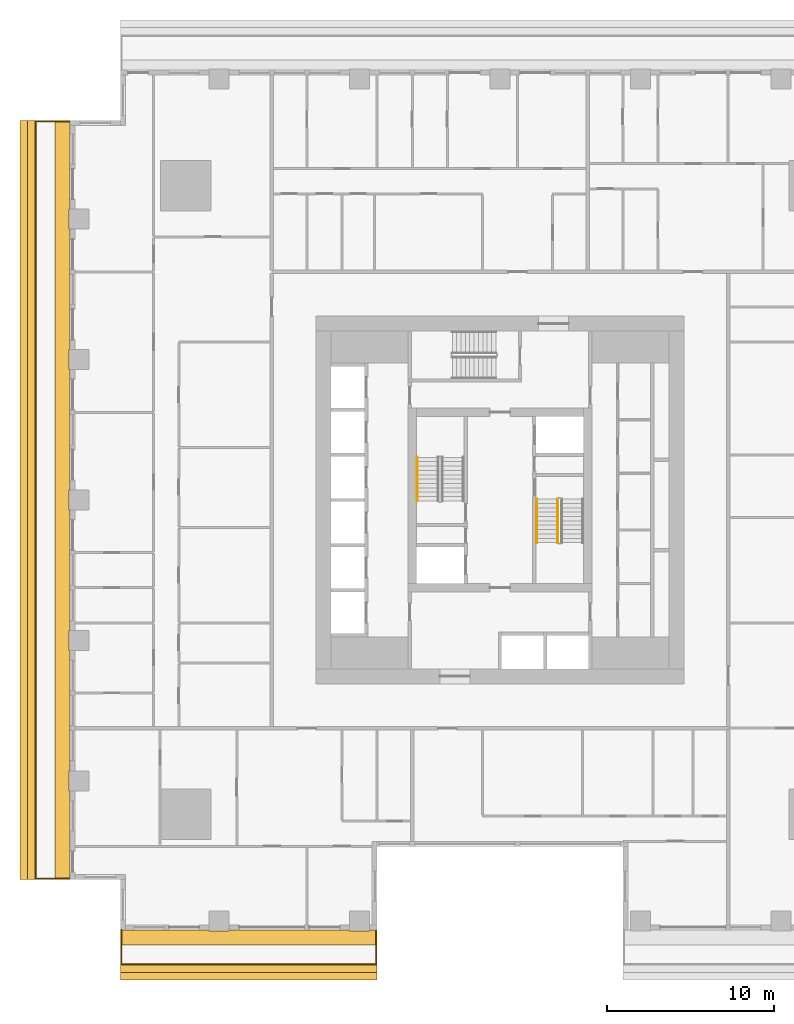
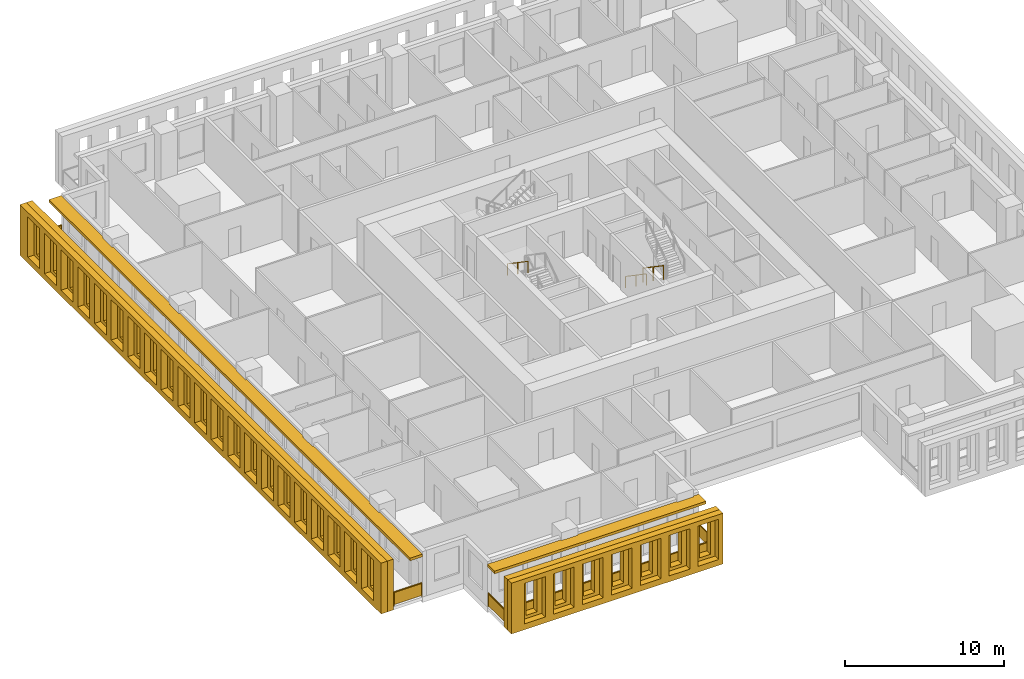
# One storey, part 11 of 15: 6 shading devices, 5 railings.
"""IFC4 building model written with IfcOpenShell, lengths in metres."""

from ifc_helpers import new_model, si_unit, direction, frame, origin, origin_2d, place, context, subcontext, project, spatial, polyline, rectangle, outline, extrude, material, layer, layer_set, type_object, element, save


model = new_model("IFC4")

# Units and contexts
model_context = context("Model", 3, precision=1e-05, world=origin(), true_north=direction((0.0, 1.0)))
body_context = subcontext(model_context, "Body", "Model", "MODEL_VIEW")
ifc_project = project(units=[si_unit("LENGTHUNIT", "METRE"), si_unit("AREAUNIT", "SQUARE_METRE"), si_unit("VOLUMEUNIT", "CUBIC_METRE"), si_unit("PLANEANGLEUNIT", "RADIAN"), si_unit("MASSUNIT", "GRAM", prefix="KILO")], contexts=[model_context])

# Site, building, storey
site_placement = place(None, origin())
site = spatial("IfcSite", under=ifc_project, at=site_placement, CompositionType="ELEMENT")
building_placement = place(site_placement, origin())
building = spatial("IfcBuilding", under=site, at=building_placement, Name="Khepri Terraces", CompositionType="ELEMENT")
storey_placement = place(building_placement, frame((0.0, 0.0, 46.5)))
storey = spatial("IfcBuildingStorey", under=building, at=storey_placement, Name="L10", CompositionType="ELEMENT", Elevation=46.5)

# Railings
ifc_material_1 = material(Name="Stainless steel grade 316", Category="steel")
railing_type_1 = type_object("IfcRailingType", Name="GRD-BAL-1100", PredefinedType="GUARDRAIL", material=ifc_material_1)
railing_1_placement = place(storey_placement, frame((-22.669921875, -25.719970703125, 0.0)))
element("IfcRailing", 1, at=railing_1_placement, inside=storey, type_object=railing_type_1, Name="Balcony guard L10 S", PredefinedType="GUARDRAIL", context=body_context, shape_type="SweptSolid", body=[
    extrude(rectangle(XDim=0.050048828125, YDim=0.06005859375, at=origin_2d()), frame((0.0, 0.0, 1.070068359375), z_axis=(0.0, -1.0, 0.0), x_axis=(1.0, 0.0, 0.0)), (0.0, 0.0, 1.0), 2.050048828125),
    extrude(rectangle(XDim=2.0, YDim=0.011962890625, at=origin_2d()), frame((0.0, -1.02490234375, 0.10009765625), z_axis=(0.0, 0.0, 1.0), x_axis=(0.0, -1.0, 0.0)), (0.0, 0.0, 1.0), 0.93994140625),
    extrude(rectangle(XDim=0.050048828125, YDim=0.06005859375, at=origin_2d()), frame((0.0, -2.050048828125, 1.070068359375), z_axis=(1.0, 0.0, 0.0), x_axis=(0.0, 1.0, 0.0)), (0.0, 0.0, 1.0), 15.27001953125),
    extrude(rectangle(XDim=2.13134765625, YDim=0.011962890625, at=origin_2d()), frame((1.0908203125, -2.050048828125, 0.10009765625), z_axis=(0.0, 0.0, 1.0), x_axis=(1.0, 0.0, 0.0)), (0.0, 0.0, 1.0), 0.93994140625),
    extrude(rectangle(XDim=2.13134765625, YDim=0.011962890625, at=origin_2d()), frame((3.272216796875, -2.050048828125, 0.10009765625), z_axis=(0.0, 0.0, 1.0), x_axis=(1.0, 0.0, 0.0)), (0.0, 0.0, 1.0), 0.93994140625),
    extrude(rectangle(XDim=2.13134765625, YDim=0.011962890625, at=origin_2d()), frame((5.45361328125, -2.050048828125, 0.10009765625), z_axis=(0.0, 0.0, 1.0), x_axis=(1.0, 0.0, 0.0)), (0.0, 0.0, 1.0), 0.93994140625),
    extrude(rectangle(XDim=2.13134765625, YDim=0.011962890625, at=origin_2d()), frame((7.635009765625, -2.050048828125, 0.10009765625), z_axis=(0.0, 0.0, 1.0), x_axis=(1.0, 0.0, 0.0)), (0.0, 0.0, 1.0), 0.93994140625),
    extrude(rectangle(XDim=2.13134765625, YDim=0.011962890625, at=origin_2d()), frame((9.81640625, -2.050048828125, 0.10009765625), z_axis=(0.0, 0.0, 1.0), x_axis=(1.0, 0.0, 0.0)), (0.0, 0.0, 1.0), 0.93994140625),
    extrude(rectangle(XDim=2.13134765625, YDim=0.011962890625, at=origin_2d()), frame((11.997802734375, -2.050048828125, 0.10009765625), z_axis=(0.0, 0.0, 1.0), x_axis=(1.0, 0.0, 0.0)), (0.0, 0.0, 1.0), 0.93994140625),
    extrude(rectangle(XDim=2.13134765625, YDim=0.011962890625, at=origin_2d()), frame((14.17919921875, -2.050048828125, 0.10009765625), z_axis=(0.0, 0.0, 1.0), x_axis=(1.0, 0.0, 0.0)), (0.0, 0.0, 1.0), 0.93994140625),
    extrude(rectangle(XDim=0.050048828125, YDim=0.06005859375, at=origin_2d()), frame((15.27001953125, -2.050048828125, 1.070068359375), z_axis=(0.0, 1.0, 0.0), x_axis=(-1.0, 0.0, 0.0)), (0.0, 0.0, 1.0), 2.050048828125),
    extrude(rectangle(XDim=2.0, YDim=0.011962890625, at=origin_2d()), frame((15.27001953125, -1.02490234375, 0.10009765625), z_axis=(0.0, 0.0, 1.0), x_axis=(0.0, 1.0, 0.0)), (0.0, 0.0, 1.0), 0.93994140625),
    extrude(rectangle(XDim=0.050048828125, YDim=0.050048828125, at=origin_2d()), origin(), (0.0, 0.0, 1.0), 1.0400390625),
    extrude(rectangle(XDim=0.050048828125, YDim=0.050048828125, at=origin_2d()), frame((0.0, -2.050048828125, 0.0)), (0.0, 0.0, 1.0), 1.0400390625),
    extrude(rectangle(XDim=0.050048828125, YDim=0.050048828125, at=origin_2d()), frame((2.181396484375, -2.050048828125, 0.0)), (0.0, 0.0, 1.0), 1.0400390625),
    extrude(rectangle(XDim=0.050048828125, YDim=0.050048828125, at=origin_2d()), frame((4.36279296875, -2.050048828125, 0.0)), (0.0, 0.0, 1.0), 1.0400390625),
    extrude(rectangle(XDim=0.050048828125, YDim=0.050048828125, at=origin_2d()), frame((6.544189453125, -2.050048828125, 0.0)), (0.0, 0.0, 1.0), 1.0400390625),
    extrude(rectangle(XDim=0.050048828125, YDim=0.050048828125, at=origin_2d()), frame((8.725830078125, -2.050048828125, 0.0)), (0.0, 0.0, 1.0), 1.0400390625),
    extrude(rectangle(XDim=0.050048828125, YDim=0.050048828125, at=origin_2d()), frame((10.9072265625, -2.050048828125, 0.0)), (0.0, 0.0, 1.0), 1.0400390625),
    extrude(rectangle(XDim=0.050048828125, YDim=0.050048828125, at=origin_2d()), frame((13.088623046875, -2.050048828125, 0.0)), (0.0, 0.0, 1.0), 1.0400390625),
    extrude(rectangle(XDim=0.050048828125, YDim=0.050048828125, at=origin_2d()), frame((15.27001953125, -2.050048828125, 0.0)), (0.0, 0.0, 1.0), 1.0400390625),
    extrude(rectangle(XDim=0.050048828125, YDim=0.050048828125, at=origin_2d()), frame((15.27001953125, 0.0, 0.0)), (0.0, 0.0, 1.0), 1.0400390625),
])
railing_2_placement = place(storey_placement, frame((-25.719970703125, 22.669921875, 0.0)))
element("IfcRailing", 2, at=railing_2_placement, inside=storey, type_object=railing_type_1, Name="Balcony guard L10 W", PredefinedType="GUARDRAIL", context=body_context, shape_type="SweptSolid", body=[
    extrude(rectangle(XDim=0.050048828125, YDim=0.06005859375, at=origin_2d()), frame((0.0, 0.0, 1.070068359375), z_axis=(-1.0, 0.0, 0.0), x_axis=(0.0, -1.0, 0.0)), (0.0, 0.0, 1.0), 2.050048828125),
    extrude(rectangle(XDim=2.0, YDim=0.011962890625, at=origin_2d()), frame((-1.02490234375, 0.0, 0.10009765625), z_axis=(0.0, 0.0, 1.0), x_axis=(-1.0, 0.0, 0.0)), (0.0, 0.0, 1.0), 0.93994140625),
    extrude(rectangle(XDim=0.050048828125, YDim=0.06005859375, at=origin_2d()), frame((-2.050048828125, 0.0, 1.070068359375), z_axis=(0.0, -1.0, 0.0), x_axis=(1.0, 0.0, 0.0)), (0.0, 0.0, 1.0), 45.33984375),
    extrude(rectangle(XDim=2.336181640625, YDim=0.011962890625, at=origin_2d()), frame((-2.050048828125, -1.193115234375, 0.10009765625), z_axis=(0.0, 0.0, 1.0), x_axis=(0.0, -1.0, 0.0)), (0.0, 0.0, 1.0), 0.93994140625),
    extrude(rectangle(XDim=2.336181640625, YDim=0.011962890625, at=origin_2d()), frame((-2.050048828125, -3.579345703125, 0.10009765625), z_axis=(0.0, 0.0, 1.0), x_axis=(0.0, -1.0, 0.0)), (0.0, 0.0, 1.0), 0.93994140625),
    extrude(rectangle(XDim=2.336181640625, YDim=0.011962890625, at=origin_2d()), frame((-2.050048828125, -5.9658203125, 0.10009765625), z_axis=(0.0, 0.0, 1.0), x_axis=(0.0, -1.0, 0.0)), (0.0, 0.0, 1.0), 0.93994140625),
    extrude(rectangle(XDim=2.336181640625, YDim=0.011962890625, at=origin_2d()), frame((-2.050048828125, -8.35205078125, 0.10009765625), z_axis=(0.0, 0.0, 1.0), x_axis=(0.0, -1.0, 0.0)), (0.0, 0.0, 1.0), 0.93994140625),
    extrude(rectangle(XDim=2.336181640625, YDim=0.011962890625, at=origin_2d()), frame((-2.050048828125, -10.73828125, 0.10009765625), z_axis=(0.0, 0.0, 1.0), x_axis=(0.0, -1.0, 0.0)), (0.0, 0.0, 1.0), 0.93994140625),
    extrude(rectangle(XDim=2.336181640625, YDim=0.011962890625, at=origin_2d()), frame((-2.050048828125, -13.124755859375, 0.10009765625), z_axis=(0.0, 0.0, 1.0), x_axis=(0.0, -1.0, 0.0)), (0.0, 0.0, 1.0), 0.93994140625),
    extrude(rectangle(XDim=2.336181640625, YDim=0.011962890625, at=origin_2d()), frame((-2.050048828125, -15.510986328125, 0.10009765625), z_axis=(0.0, 0.0, 1.0), x_axis=(0.0, -1.0, 0.0)), (0.0, 0.0, 1.0), 0.93994140625),
    extrude(rectangle(XDim=2.336181640625, YDim=0.011962890625, at=origin_2d()), frame((-2.050048828125, -17.897216796875, 0.10009765625), z_axis=(0.0, 0.0, 1.0), x_axis=(0.0, -1.0, 0.0)), (0.0, 0.0, 1.0), 0.93994140625),
    extrude(rectangle(XDim=2.336181640625, YDim=0.011962890625, at=origin_2d()), frame((-2.050048828125, -20.28369140625, 0.10009765625), z_axis=(0.0, 0.0, 1.0), x_axis=(0.0, -1.0, 0.0)), (0.0, 0.0, 1.0), 0.93994140625),
    extrude(rectangle(XDim=2.336181640625, YDim=0.011962890625, at=origin_2d()), frame((-2.050048828125, -22.669921875, 0.10009765625), z_axis=(0.0, 0.0, 1.0), x_axis=(0.0, -1.0, 0.0)), (0.0, 0.0, 1.0), 0.93994140625),
    extrude(rectangle(XDim=2.336181640625, YDim=0.011962890625, at=origin_2d()), frame((-2.050048828125, -25.05615234375, 0.10009765625), z_axis=(0.0, 0.0, 1.0), x_axis=(0.0, -1.0, 0.0)), (0.0, 0.0, 1.0), 0.93994140625),
    extrude(rectangle(XDim=2.336181640625, YDim=0.011962890625, at=origin_2d()), frame((-2.050048828125, -27.442626953125, 0.10009765625), z_axis=(0.0, 0.0, 1.0), x_axis=(0.0, -1.0, 0.0)), (0.0, 0.0, 1.0), 0.93994140625),
    extrude(rectangle(XDim=2.336181640625, YDim=0.011962890625, at=origin_2d()), frame((-2.050048828125, -29.828857421875, 0.10009765625), z_axis=(0.0, 0.0, 1.0), x_axis=(0.0, -1.0, 0.0)), (0.0, 0.0, 1.0), 0.93994140625),
    extrude(rectangle(XDim=2.336181640625, YDim=0.011962890625, at=origin_2d()), frame((-2.050048828125, -32.215087890625, 0.10009765625), z_axis=(0.0, 0.0, 1.0), x_axis=(0.0, -1.0, 0.0)), (0.0, 0.0, 1.0), 0.93994140625),
    extrude(rectangle(XDim=2.336181640625, YDim=0.011962890625, at=origin_2d()), frame((-2.050048828125, -34.6015625, 0.10009765625), z_axis=(0.0, 0.0, 1.0), x_axis=(0.0, -1.0, 0.0)), (0.0, 0.0, 1.0), 0.93994140625),
    extrude(rectangle(XDim=2.336181640625, YDim=0.011962890625, at=origin_2d()), frame((-2.050048828125, -36.98779296875, 0.10009765625), z_axis=(0.0, 0.0, 1.0), x_axis=(0.0, -1.0, 0.0)), (0.0, 0.0, 1.0), 0.93994140625),
    extrude(rectangle(XDim=2.336181640625, YDim=0.011962890625, at=origin_2d()), frame((-2.050048828125, -39.3740234375, 0.10009765625), z_axis=(0.0, 0.0, 1.0), x_axis=(0.0, -1.0, 0.0)), (0.0, 0.0, 1.0), 0.93994140625),
    extrude(rectangle(XDim=2.336181640625, YDim=0.011962890625, at=origin_2d()), frame((-2.050048828125, -41.760498046875, 0.10009765625), z_axis=(0.0, 0.0, 1.0), x_axis=(0.0, -1.0, 0.0)), (0.0, 0.0, 1.0), 0.93994140625),
    extrude(rectangle(XDim=2.336181640625, YDim=0.011962890625, at=origin_2d()), frame((-2.050048828125, -44.146728515625, 0.10009765625), z_axis=(0.0, 0.0, 1.0), x_axis=(0.0, -1.0, 0.0)), (0.0, 0.0, 1.0), 0.93994140625),
    extrude(rectangle(XDim=0.050048828125, YDim=0.06005859375, at=origin_2d()), frame((-2.050048828125, -45.33984375, 1.070068359375), z_axis=(1.0, 0.0, 0.0), x_axis=(0.0, 1.0, 0.0)), (0.0, 0.0, 1.0), 2.050048828125),
    extrude(rectangle(XDim=2.0, YDim=0.011962890625, at=origin_2d()), frame((-1.02490234375, -45.33984375, 0.10009765625), z_axis=(0.0, 0.0, 1.0), x_axis=(1.0, 0.0, 0.0)), (0.0, 0.0, 1.0), 0.93994140625),
    extrude(rectangle(XDim=0.050048828125, YDim=0.050048828125, at=origin_2d()), origin(), (0.0, 0.0, 1.0), 1.0400390625),
    extrude(rectangle(XDim=0.050048828125, YDim=0.050048828125, at=origin_2d()), frame((-2.050048828125, 0.0, 0.0)), (0.0, 0.0, 1.0), 1.0400390625),
    extrude(rectangle(XDim=0.050048828125, YDim=0.050048828125, at=origin_2d()), frame((-2.050048828125, -2.38623046875, 0.0)), (0.0, 0.0, 1.0), 1.0400390625),
    extrude(rectangle(XDim=0.050048828125, YDim=0.050048828125, at=origin_2d()), frame((-2.050048828125, -4.772705078125, 0.0)), (0.0, 0.0, 1.0), 1.0400390625),
    extrude(rectangle(XDim=0.050048828125, YDim=0.050048828125, at=origin_2d()), frame((-2.050048828125, -7.158935546875, 0.0)), (0.0, 0.0, 1.0), 1.0400390625),
    extrude(rectangle(XDim=0.050048828125, YDim=0.050048828125, at=origin_2d()), frame((-2.050048828125, -9.545166015625, 0.0)), (0.0, 0.0, 1.0), 1.0400390625),
    extrude(rectangle(XDim=0.050048828125, YDim=0.050048828125, at=origin_2d()), frame((-2.050048828125, -11.931640625, 0.0)), (0.0, 0.0, 1.0), 1.0400390625),
    extrude(rectangle(XDim=0.050048828125, YDim=0.050048828125, at=origin_2d()), frame((-2.050048828125, -14.31787109375, 0.0)), (0.0, 0.0, 1.0), 1.0400390625),
    extrude(rectangle(XDim=0.050048828125, YDim=0.050048828125, at=origin_2d()), frame((-2.050048828125, -16.7041015625, 0.0)), (0.0, 0.0, 1.0), 1.0400390625),
    extrude(rectangle(XDim=0.050048828125, YDim=0.050048828125, at=origin_2d()), frame((-2.050048828125, -19.090576171875, 0.0)), (0.0, 0.0, 1.0), 1.0400390625),
    extrude(rectangle(XDim=0.050048828125, YDim=0.050048828125, at=origin_2d()), frame((-2.050048828125, -21.476806640625, 0.0)), (0.0, 0.0, 1.0), 1.0400390625),
    extrude(rectangle(XDim=0.050048828125, YDim=0.050048828125, at=origin_2d()), frame((-2.050048828125, -23.863037109375, 0.0)), (0.0, 0.0, 1.0), 1.0400390625),
    extrude(rectangle(XDim=0.050048828125, YDim=0.050048828125, at=origin_2d()), frame((-2.050048828125, -26.249267578125, 0.0)), (0.0, 0.0, 1.0), 1.0400390625),
    extrude(rectangle(XDim=0.050048828125, YDim=0.050048828125, at=origin_2d()), frame((-2.050048828125, -28.6357421875, 0.0)), (0.0, 0.0, 1.0), 1.0400390625),
    extrude(rectangle(XDim=0.050048828125, YDim=0.050048828125, at=origin_2d()), frame((-2.050048828125, -31.02197265625, 0.0)), (0.0, 0.0, 1.0), 1.0400390625),
    extrude(rectangle(XDim=0.050048828125, YDim=0.050048828125, at=origin_2d()), frame((-2.050048828125, -33.408203125, 0.0)), (0.0, 0.0, 1.0), 1.0400390625),
    extrude(rectangle(XDim=0.050048828125, YDim=0.050048828125, at=origin_2d()), frame((-2.050048828125, -35.794677734375, 0.0)), (0.0, 0.0, 1.0), 1.0400390625),
    extrude(rectangle(XDim=0.050048828125, YDim=0.050048828125, at=origin_2d()), frame((-2.050048828125, -38.180908203125, 0.0)), (0.0, 0.0, 1.0), 1.0400390625),
    extrude(rectangle(XDim=0.050048828125, YDim=0.050048828125, at=origin_2d()), frame((-2.050048828125, -40.567138671875, 0.0)), (0.0, 0.0, 1.0), 1.0400390625),
    extrude(rectangle(XDim=0.050048828125, YDim=0.050048828125, at=origin_2d()), frame((-2.050048828125, -42.95361328125, 0.0)), (0.0, 0.0, 1.0), 1.0400390625),
    extrude(rectangle(XDim=0.050048828125, YDim=0.050048828125, at=origin_2d()), frame((-2.050048828125, -45.33984375, 0.0)), (0.0, 0.0, 1.0), 1.0400390625),
    extrude(rectangle(XDim=0.050048828125, YDim=0.050048828125, at=origin_2d()), frame((0.0, -45.33984375, 0.0)), (0.0, 0.0, 1.0), 1.0400390625),
])
ifc_material_2 = material(Name="Stainless steel 316", Category="steel")
railing_type_2 = type_object("IfcRailingType", Name="RL-CORE-GUARD", PredefinedType="GUARDRAIL", material=ifc_material_2)
railing_3_placement = place(storey_placement, frame((3.449951171875, 0.050048828125, 0.17724609375)))
element("IfcRailing", 3, at=railing_3_placement, inside=storey, type_object=railing_type_2, Name="L10 ST-2 stair guard 1", PredefinedType="GUARDRAIL", context=body_context, shape_type="SweptSolid", body=[
    extrude(rectangle(XDim=0.050048828125, YDim=0.06005859375, at=origin_2d()), frame((0.0, 0.0, 1.070068359375), z_axis=(0.0, -0.826240473404, 0.563317565952), x_axis=(1.0, 0.0, 0.0)), (0.0, 0.0, 1.0), 3.14697265625),
    extrude(rectangle(XDim=0.050048828125, YDim=0.050048828125, at=origin_2d()), origin(), (0.0, 0.0, 1.0), 1.0400390625),
    extrude(rectangle(XDim=0.050048828125, YDim=0.050048828125, at=origin_2d()), frame((0.0, -1.300048828125, 0.88623046875)), (0.0, 0.0, 1.0), 1.0400390625),
    extrude(rectangle(XDim=0.050048828125, YDim=0.050048828125, at=origin_2d()), frame((0.0, -2.60009765625, 1.772705078125)), (0.0, 0.0, 1.0), 1.0400390625),
])
railing_type_3 = type_object("IfcRailingType", Name="RL-CORE-HANDRAIL", PredefinedType="HANDRAIL", material=ifc_material_2)
for number, where, name in (
    (4, (-4.949951171875, 2.550048828125, 2.127197265625), "L10 ST-1 stair handrail 2"),
    (5, (2.199951171875, 0.050048828125, 0.17724609375), "L10 ST-2 stair handrail 1"),
):
    element("IfcRailing", number, at=place(storey_placement, frame(where)), inside=storey, type_object=railing_type_3, Name=name, PredefinedType="HANDRAIL", context=body_context, shape_type="SweptSolid", body=[
        extrude(rectangle(XDim=0.050048828125, YDim=0.050048828125, at=origin_2d()), frame((0.0, 0.0, 0.875), z_axis=(0.0, -0.826240473404, 0.563317565952), x_axis=(1.0, 0.0, 0.0)), (0.0, 0.0, 1.0), 3.14697265625),
        extrude(rectangle(XDim=0.050048828125, YDim=0.050048828125, at=origin_2d()), origin(), (0.0, 0.0, 1.0), 0.849853515625),
        extrude(rectangle(XDim=0.050048828125, YDim=0.050048828125, at=origin_2d()), frame((0.0, -1.300048828125, 0.88623046875)), (0.0, 0.0, 1.0), 0.849853515625),
        extrude(rectangle(XDim=0.050048828125, YDim=0.050048828125, at=origin_2d()), frame((0.0, -2.60009765625, 1.772705078125)), (0.0, 0.0, 1.0), 0.849853515625),
    ])

# Shading devices
ifc_material_3 = material(Name="Precast concrete C50/60 warm stone", Category="masonry")
shading_device_type_1 = type_object("IfcShadingDeviceType", Name="SCR-CELL-INNER-450", PredefinedType="USERDEFINED", material=ifc_material_3)
shading_device_1_placement = place(storey_placement, frame((-22.719970703125, -27.820068359375, -0.25), z_axis=(0.0, -1.0, 0.0), x_axis=(1.0, 0.0, 0.0)))
element("IfcShadingDevice", 6, at=shading_device_1_placement, inside=storey, type_object=shading_device_type_1, Name="Cell screen L10 S in", ObjectType="SCREEN", PredefinedType="USERDEFINED", context=body_context, shape_type="SweptSolid", body=[
    extrude(outline(polyline([(0.0, 0.0), (15.3701171875, 0.0), (15.3701171875, 3.89990234375), (0.0, 3.89990234375), (0.0, 0.0)]), holes=[polyline([(1.318359375, 0.699951171875), (2.12158203125, 0.699951171875), (2.12158203125, 3.300048828125), (1.318359375, 3.300048828125), (1.318359375, 0.699951171875)]), polyline([(3.41845703125, 0.699951171875), (4.2216796875, 0.699951171875), (4.2216796875, 3.300048828125), (3.41845703125, 3.300048828125), (3.41845703125, 0.699951171875)]), polyline([(5.518310546875, 0.699951171875), (6.321533203125, 0.699951171875), (6.321533203125, 3.300048828125), (5.518310546875, 3.300048828125), (5.518310546875, 0.699951171875)]), polyline([(7.618408203125, 0.699951171875), (8.421630859375, 0.699951171875), (8.421630859375, 3.300048828125), (7.618408203125, 3.300048828125), (7.618408203125, 0.699951171875)]), polyline([(9.718505859375, 0.699951171875), (10.521484375, 0.699951171875), (10.521484375, 3.300048828125), (9.718505859375, 3.300048828125), (9.718505859375, 0.699951171875)]), polyline([(11.818359375, 0.699951171875), (12.62158203125, 0.699951171875), (12.62158203125, 3.300048828125), (11.818359375, 3.300048828125), (11.818359375, 0.699951171875)]), polyline([(13.91845703125, 0.699951171875), (14.7216796875, 0.699951171875), (14.7216796875, 3.300048828125), (13.91845703125, 3.300048828125), (13.91845703125, 0.699951171875)])]), origin(), (0.0, 0.0, 1.0), 0.449951171875),
])
shading_device_2_placement = place(storey_placement, frame((-27.820068359375, 22.719970703125, -0.25), z_axis=(-1.0, 0.0, 0.0), x_axis=(0.0, -1.0, 0.0)))
element("IfcShadingDevice", 7, at=shading_device_2_placement, inside=storey, type_object=shading_device_type_1, Name="Cell screen L10 W in", ObjectType="SCREEN", PredefinedType="USERDEFINED", context=body_context, shape_type="SweptSolid", body=[
    extrude(outline(polyline([(0.0, 0.0), (45.43994140625, 0.0), (45.43994140625, 3.89990234375), (0.0, 3.89990234375), (0.0, 0.0)]), holes=[polyline([(1.318359375, 0.699951171875), (2.12158203125, 0.699951171875), (2.12158203125, 3.300048828125), (1.318359375, 3.300048828125), (1.318359375, 0.699951171875)]), polyline([(3.41845703125, 0.699951171875), (4.2216796875, 0.699951171875), (4.2216796875, 3.300048828125), (3.41845703125, 3.300048828125), (3.41845703125, 0.699951171875)]), polyline([(5.518310546875, 0.699951171875), (6.321533203125, 0.699951171875), (6.321533203125, 3.300048828125), (5.518310546875, 3.300048828125), (5.518310546875, 0.699951171875)]), polyline([(7.618408203125, 0.699951171875), (8.421630859375, 0.699951171875), (8.421630859375, 3.300048828125), (7.618408203125, 3.300048828125), (7.618408203125, 0.699951171875)]), polyline([(9.718505859375, 0.699951171875), (10.521484375, 0.699951171875), (10.521484375, 3.300048828125), (9.718505859375, 3.300048828125), (9.718505859375, 0.699951171875)]), polyline([(11.818359375, 0.699951171875), (12.62158203125, 0.699951171875), (12.62158203125, 3.300048828125), (11.818359375, 3.300048828125), (11.818359375, 0.699951171875)]), polyline([(13.91845703125, 0.699951171875), (14.7216796875, 0.699951171875), (14.7216796875, 3.300048828125), (13.91845703125, 3.300048828125), (13.91845703125, 0.699951171875)]), polyline([(16.018310546875, 0.699951171875), (16.821533203125, 0.699951171875), (16.821533203125, 3.300048828125), (16.018310546875, 3.300048828125), (16.018310546875, 0.699951171875)]), polyline([(18.118408203125, 0.699951171875), (18.921630859375, 0.699951171875), (18.921630859375, 3.300048828125), (18.118408203125, 3.300048828125), (18.118408203125, 0.699951171875)]), polyline([(20.218505859375, 0.699951171875), (21.021484375, 0.699951171875), (21.021484375, 3.300048828125), (20.218505859375, 3.300048828125), (20.218505859375, 0.699951171875)]), polyline([(22.318359375, 0.699951171875), (23.12158203125, 0.699951171875), (23.12158203125, 3.300048828125), (22.318359375, 3.300048828125), (22.318359375, 0.699951171875)]), polyline([(24.41845703125, 0.699951171875), (25.2216796875, 0.699951171875), (25.2216796875, 3.300048828125), (24.41845703125, 3.300048828125), (24.41845703125, 0.699951171875)]), polyline([(26.518310546875, 0.699951171875), (27.321533203125, 0.699951171875), (27.321533203125, 3.300048828125), (26.518310546875, 3.300048828125), (26.518310546875, 0.699951171875)]), polyline([(28.618408203125, 0.699951171875), (29.421630859375, 0.699951171875), (29.421630859375, 3.300048828125), (28.618408203125, 3.300048828125), (28.618408203125, 0.699951171875)]), polyline([(30.718505859375, 0.699951171875), (31.521484375, 0.699951171875), (31.521484375, 3.300048828125), (30.718505859375, 3.300048828125), (30.718505859375, 0.699951171875)]), polyline([(32.818359375, 0.699951171875), (33.62158203125, 0.699951171875), (33.62158203125, 3.300048828125), (32.818359375, 3.300048828125), (32.818359375, 0.699951171875)]), polyline([(34.91845703125, 0.699951171875), (35.7216796875, 0.699951171875), (35.7216796875, 3.300048828125), (34.91845703125, 3.300048828125), (34.91845703125, 0.699951171875)]), polyline([(37.018310546875, 0.699951171875), (37.821533203125, 0.699951171875), (37.821533203125, 3.300048828125), (37.018310546875, 3.300048828125), (37.018310546875, 0.699951171875)]), polyline([(39.118408203125, 0.699951171875), (39.921630859375, 0.699951171875), (39.921630859375, 3.300048828125), (39.118408203125, 3.300048828125), (39.118408203125, 0.699951171875)]), polyline([(41.218505859375, 0.699951171875), (42.021484375, 0.699951171875), (42.021484375, 3.300048828125), (41.218505859375, 3.300048828125), (41.218505859375, 0.699951171875)]), polyline([(43.318359375, 0.699951171875), (44.12158203125, 0.699951171875), (44.12158203125, 3.300048828125), (43.318359375, 3.300048828125), (43.318359375, 0.699951171875)])]), origin(), (0.0, 0.0, 1.0), 0.449951171875),
])
shading_device_type_2 = type_object("IfcShadingDeviceType", Name="SCR-CELL-OUTER-450", PredefinedType="USERDEFINED", material=ifc_material_3)
shading_device_3_placement = place(storey_placement, frame((-22.719970703125, -28.27001953125, -0.25), z_axis=(0.0, -1.0, 0.0), x_axis=(1.0, 0.0, 0.0)))
element("IfcShadingDevice", 8, at=shading_device_3_placement, inside=storey, type_object=shading_device_type_2, Name="Cell screen L10 S out", ObjectType="SCREEN", PredefinedType="USERDEFINED", context=body_context, shape_type="SweptSolid", body=[
    extrude(outline(polyline([(0.0, 0.0), (15.3701171875, 0.0), (15.3701171875, 3.89990234375), (0.0, 3.89990234375), (0.0, 0.0)]), holes=[polyline([(0.968505859375, 0.449951171875), (2.4716796875, 0.449951171875), (2.4716796875, 3.550048828125), (0.968505859375, 3.550048828125), (0.968505859375, 0.449951171875)]), polyline([(3.068359375, 0.449951171875), (4.571533203125, 0.449951171875), (4.571533203125, 3.550048828125), (3.068359375, 3.550048828125), (3.068359375, 0.449951171875)]), polyline([(5.16845703125, 0.449951171875), (6.671630859375, 0.449951171875), (6.671630859375, 3.550048828125), (5.16845703125, 3.550048828125), (5.16845703125, 0.449951171875)]), polyline([(7.268310546875, 0.449951171875), (8.771484375, 0.449951171875), (8.771484375, 3.550048828125), (7.268310546875, 3.550048828125), (7.268310546875, 0.449951171875)]), polyline([(9.368408203125, 0.449951171875), (10.87158203125, 0.449951171875), (10.87158203125, 3.550048828125), (9.368408203125, 3.550048828125), (9.368408203125, 0.449951171875)]), polyline([(11.468505859375, 0.449951171875), (12.9716796875, 0.449951171875), (12.9716796875, 3.550048828125), (11.468505859375, 3.550048828125), (11.468505859375, 0.449951171875)]), polyline([(13.568359375, 0.449951171875), (15.071533203125, 0.449951171875), (15.071533203125, 3.550048828125), (13.568359375, 3.550048828125), (13.568359375, 0.449951171875)])]), origin(), (0.0, 0.0, 1.0), 0.449951171875),
])
shading_device_4_placement = place(storey_placement, frame((-28.27001953125, 22.719970703125, -0.25), z_axis=(-1.0, 0.0, 0.0), x_axis=(0.0, -1.0, 0.0)))
element("IfcShadingDevice", 9, at=shading_device_4_placement, inside=storey, type_object=shading_device_type_2, Name="Cell screen L10 W out", ObjectType="SCREEN", PredefinedType="USERDEFINED", context=body_context, shape_type="SweptSolid", body=[
    extrude(outline(polyline([(0.0, 0.0), (45.43994140625, 0.0), (45.43994140625, 3.89990234375), (0.0, 3.89990234375), (0.0, 0.0)]), holes=[polyline([(0.968505859375, 0.449951171875), (2.4716796875, 0.449951171875), (2.4716796875, 3.550048828125), (0.968505859375, 3.550048828125), (0.968505859375, 0.449951171875)]), polyline([(3.068359375, 0.449951171875), (4.571533203125, 0.449951171875), (4.571533203125, 3.550048828125), (3.068359375, 3.550048828125), (3.068359375, 0.449951171875)]), polyline([(5.16845703125, 0.449951171875), (6.671630859375, 0.449951171875), (6.671630859375, 3.550048828125), (5.16845703125, 3.550048828125), (5.16845703125, 0.449951171875)]), polyline([(7.268310546875, 0.449951171875), (8.771484375, 0.449951171875), (8.771484375, 3.550048828125), (7.268310546875, 3.550048828125), (7.268310546875, 0.449951171875)]), polyline([(9.368408203125, 0.449951171875), (10.87158203125, 0.449951171875), (10.87158203125, 3.550048828125), (9.368408203125, 3.550048828125), (9.368408203125, 0.449951171875)]), polyline([(11.468505859375, 0.449951171875), (12.9716796875, 0.449951171875), (12.9716796875, 3.550048828125), (11.468505859375, 3.550048828125), (11.468505859375, 0.449951171875)]), polyline([(13.568359375, 0.449951171875), (15.071533203125, 0.449951171875), (15.071533203125, 3.550048828125), (13.568359375, 3.550048828125), (13.568359375, 0.449951171875)]), polyline([(15.66845703125, 0.449951171875), (17.171630859375, 0.449951171875), (17.171630859375, 3.550048828125), (15.66845703125, 3.550048828125), (15.66845703125, 0.449951171875)]), polyline([(17.768310546875, 0.449951171875), (19.271484375, 0.449951171875), (19.271484375, 3.550048828125), (17.768310546875, 3.550048828125), (17.768310546875, 0.449951171875)]), polyline([(19.868408203125, 0.449951171875), (21.37158203125, 0.449951171875), (21.37158203125, 3.550048828125), (19.868408203125, 3.550048828125), (19.868408203125, 0.449951171875)]), polyline([(21.968505859375, 0.449951171875), (23.4716796875, 0.449951171875), (23.4716796875, 3.550048828125), (21.968505859375, 3.550048828125), (21.968505859375, 0.449951171875)]), polyline([(24.068359375, 0.449951171875), (25.571533203125, 0.449951171875), (25.571533203125, 3.550048828125), (24.068359375, 3.550048828125), (24.068359375, 0.449951171875)]), polyline([(26.16845703125, 0.449951171875), (27.671630859375, 0.449951171875), (27.671630859375, 3.550048828125), (26.16845703125, 3.550048828125), (26.16845703125, 0.449951171875)]), polyline([(28.268310546875, 0.449951171875), (29.771484375, 0.449951171875), (29.771484375, 3.550048828125), (28.268310546875, 3.550048828125), (28.268310546875, 0.449951171875)]), polyline([(30.368408203125, 0.449951171875), (31.87158203125, 0.449951171875), (31.87158203125, 3.550048828125), (30.368408203125, 3.550048828125), (30.368408203125, 0.449951171875)]), polyline([(32.468505859375, 0.449951171875), (33.9716796875, 0.449951171875), (33.9716796875, 3.550048828125), (32.468505859375, 3.550048828125), (32.468505859375, 0.449951171875)]), polyline([(34.568359375, 0.449951171875), (36.071533203125, 0.449951171875), (36.071533203125, 3.550048828125), (34.568359375, 3.550048828125), (34.568359375, 0.449951171875)]), polyline([(36.66845703125, 0.449951171875), (38.171630859375, 0.449951171875), (38.171630859375, 3.550048828125), (36.66845703125, 3.550048828125), (36.66845703125, 0.449951171875)]), polyline([(38.768310546875, 0.449951171875), (40.271484375, 0.449951171875), (40.271484375, 3.550048828125), (38.768310546875, 3.550048828125), (38.768310546875, 0.449951171875)]), polyline([(40.868408203125, 0.449951171875), (42.37158203125, 0.449951171875), (42.37158203125, 3.550048828125), (40.868408203125, 3.550048828125), (40.868408203125, 0.449951171875)]), polyline([(42.968505859375, 0.449951171875), (44.4716796875, 0.449951171875), (44.4716796875, 3.550048828125), (42.968505859375, 3.550048828125), (42.968505859375, 0.449951171875)])]), origin(), (0.0, 0.0, 1.0), 0.449951171875),
])
ifc_layer = layer(ifc_material_3, 0.199951171875, Name="Precast concrete C50/60 warm stone", Category="masonry")
ifc_layer_set = layer_set([ifc_layer], Name="Precast concrete C50/60 warm stone")
shading_device_type_3 = type_object("IfcShadingDeviceType", Name="SSH-BAND-STONE-200", PredefinedType="USERDEFINED", material=ifc_layer_set)
shading_device_5_placement = place(storey_placement, frame((0.0, 0.0, 3.10009765625)))
element("IfcShadingDevice", 10, at=shading_device_5_placement, inside=storey, type_object=shading_device_type_3, Name="Sunshade band L10 S", ObjectType="SUNSHADE", PredefinedType="USERDEFINED", context=body_context, shape_type="SweptSolid", body=[
    extrude(outline(polyline([(-17.39990234375, -25.719970703125), (-22.719970703125, -25.719970703125), (-22.719970703125, -26.6201171875), (-7.35009765625, -26.6201171875), (-7.35009765625, -25.719970703125), (-7.800048828125, -25.719970703125), (-7.800048828125, -25.800048828125), (-9.0, -25.800048828125), (-9.0, -25.719970703125), (-16.199951171875, -25.719970703125), (-16.199951171875, -25.800048828125), (-17.39990234375, -25.800048828125), (-17.39990234375, -25.719970703125)])), origin(), (0.0, 0.0, 1.0), 0.199951171875),
])
shading_device_6_placement = place(storey_placement, frame((0.0, 0.0, 3.10009765625)))
element("IfcShadingDevice", 11, at=shading_device_6_placement, inside=storey, type_object=shading_device_type_3, Name="Sunshade band L10 W", ObjectType="SUNSHADE", PredefinedType="USERDEFINED", context=body_context, shape_type="SweptSolid", body=[
    extrude(outline(polyline([(-25.719970703125, 17.39990234375), (-25.719970703125, 22.719970703125), (-26.6201171875, 22.719970703125), (-26.6201171875, -22.719970703125), (-25.719970703125, -22.719970703125), (-25.719970703125, -17.39990234375), (-25.800048828125, -17.39990234375), (-25.800048828125, -16.199951171875), (-25.719970703125, -16.199951171875), (-25.719970703125, -9.0), (-25.800048828125, -9.0), (-25.800048828125, -7.800048828125), (-25.719970703125, -7.800048828125), (-25.719970703125, -0.60009765625), (-25.800048828125, -0.60009765625), (-25.800048828125, 0.60009765625), (-25.719970703125, 0.60009765625), (-25.719970703125, 7.800048828125), (-25.800048828125, 7.800048828125), (-25.800048828125, 9.0), (-25.719970703125, 9.0), (-25.719970703125, 16.199951171875), (-25.800048828125, 16.199951171875), (-25.800048828125, 17.39990234375), (-25.719970703125, 17.39990234375)])), origin(), (0.0, 0.0, 1.0), 0.199951171875),
])

save(model, "model.ifc")
